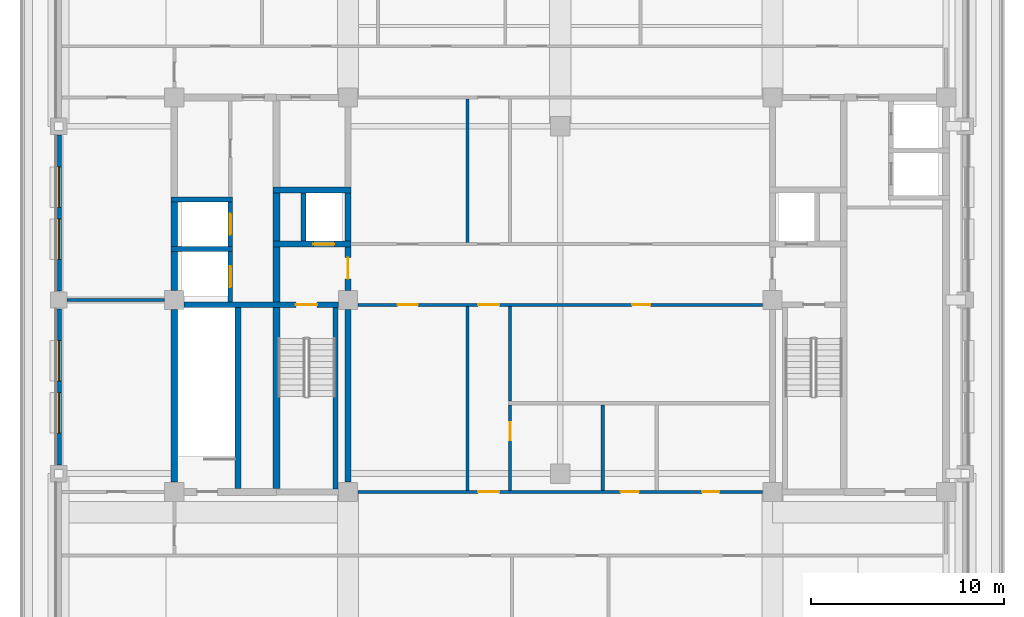
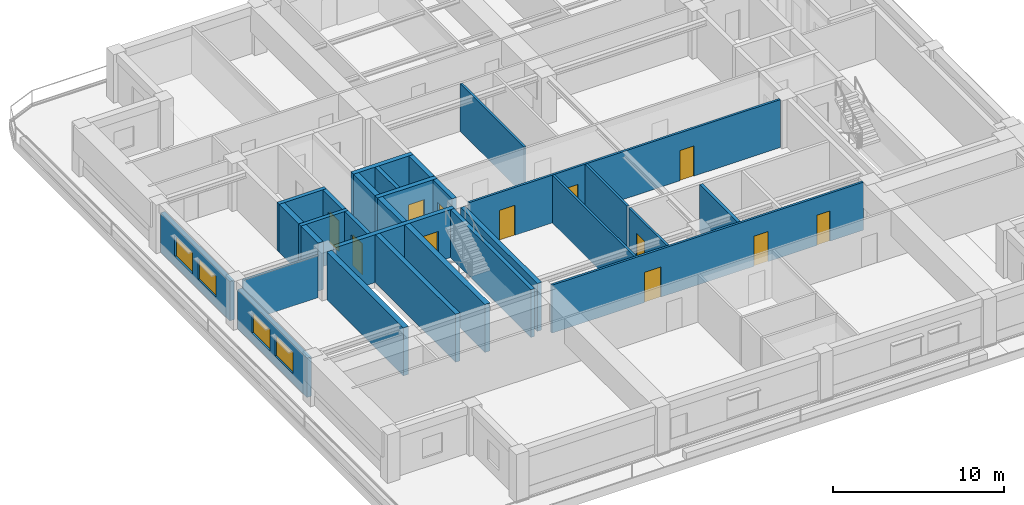
# One storey, part 3 of 11: 29 walls, 12 doors, 4 windows, 16 openings.
"""IFC4 building model written with IfcOpenShell, lengths in metres."""

from ifc_helpers import new_model, si_unit, direction, frame, frame_2d, origin, place, context, subcontext, project, spatial, rectangle, extrude, material, layer, layer_set, type_object, element, fill, save


model = new_model("IFC4")

# Units and contexts
model_context = context("Model", 3, precision=1e-05, world=origin(), true_north=direction((0.0, 1.0)))
body_context = subcontext(model_context, "Body", "Model", "MODEL_VIEW")
ifc_project = project(units=[si_unit("LENGTHUNIT", "METRE"), si_unit("AREAUNIT", "SQUARE_METRE"), si_unit("VOLUMEUNIT", "CUBIC_METRE"), si_unit("PLANEANGLEUNIT", "RADIAN"), si_unit("MASSUNIT", "GRAM", prefix="KILO")], contexts=[model_context])

# Site, building, storey
site_placement = place(None, origin())
site = spatial("IfcSite", under=ifc_project, at=site_placement, CompositionType="ELEMENT")
building_placement = place(site_placement, origin())
building = spatial("IfcBuilding", under=site, at=building_placement, Name="Zulmaris Gate Convention Tower", CompositionType="ELEMENT")
storey_placement = place(building_placement, frame((0.0, 0.0, 278.06005859375)))
storey = spatial("IfcBuildingStorey", under=building, at=storey_placement, Name="L74", CompositionType="ELEMENT", Elevation=278.06005859375)

# Walls
ifc_material_1 = material(Name="Concrete C50/60", Category="concrete")
ifc_layer_1 = layer(ifc_material_1, 0.25, Name="Concrete C50/60")
ifc_layer_set_1 = layer_set([ifc_layer_1], Name="Concrete C50/60")
wall_type_1 = type_object("IfcWallType", Name="CORE-250", PredefinedType="SOLIDWALL", material=ifc_layer_set_1)
for number, where, z_axis, x_axis, name in (
    (1, (-20.175048828125, 2.64990234375, 0.0), (0.0, 0.0, 1.0), (1.0, 0.0, 0.0), "WL-L74-007"),
    (2, (-20.175048828125, 5.199951171875, 0.0), (0.0, 0.0, 1.0), (1.0, 0.0, 0.0), "WL-L74-010"),
):
    element("IfcWall", number, at=place(storey_placement, frame(where, z_axis=z_axis, x_axis=x_axis)), inside=storey, type_object=wall_type_1, Name=name, PredefinedType="SOLIDWALL", context=body_context, shape_type="SweptSolid", body=[
        extrude(rectangle(XDim=3.199951171875, YDim=0.25, at=frame_2d((1.60009765625, 0.0))), origin(), (0.0, 0.0, 1.0), 3.4150390625),
    ])

# Wall, opening, door
wall_1_placement = place(storey_placement, frame((-17.10009765625, -0.097900390625, 0.0), z_axis=(0.0, 0.0, 1.0), x_axis=(0.0, 1.0, 0.0)))
wall_1 = element("IfcWall", 3, at=wall_1_placement, inside=storey, type_object=wall_type_1, Name="WL-L74-036", PredefinedType="SOLIDWALL", context=body_context, shape_type="SweptSolid", body=[
    extrude(rectangle(XDim=2.620849609375, YDim=0.25, at=frame_2d((1.310546875, 0.0))), origin(), (0.0, 0.0, 1.0), 3.4150390625),
])
opening_1_placement = place(wall_1_placement, frame((0.748046875, 0.0, 0.0)))
opening_1 = element("IfcOpeningElement", 4, at=opening_1_placement, cuts=wall_1, Name="Opening D-06", PredefinedType="OPENING", context=body_context, shape_type="SweptSolid", body=[
    extrude(rectangle(XDim=1.10009765625, YDim=2.199951171875, at=frame_2d((0.550048828125, 1.10009765625))), frame((0.0, 0.135009765625, 0.0), z_axis=(0.0, -1.0, 0.0), x_axis=(1.0, 0.0, 0.0)), (0.0, 0.0, 1.0), 0.27001953125),
])
ifc_material_2 = material(Name="Brushed Stainless Steel", Category="steel")
door_type_1 = type_object("IfcDoorType", Name="LD-1100", OperationType="NOTDEFINED", PredefinedType="DOOR", material=ifc_material_2)
door_1_placement = place(opening_1_placement, origin())
door_1 = element("IfcDoor", 5, at=door_1_placement, inside=storey, type_object=door_type_1, Name="L74 Lift Landing Door HP-03 10", OperationType="SLIDING_TO_LEFT", OverallHeight=2.199951171875, OverallWidth=1.10009765625, PredefinedType="DOOR", context=body_context, shape_type="SweptSolid", body=[
    extrude(rectangle(XDim=1.10009765625, YDim=2.199951171875, at=frame_2d((0.550048828125, 1.10009765625))), frame((0.0, 0.02490234375, 0.0), z_axis=(0.0, -1.0, 0.0), x_axis=(1.0, 0.0, 0.0)), (0.0, 0.0, 1.0), 0.050048828125),
])
fill(opening_1, door_1)

wall_2_placement = place(storey_placement, frame((-17.10009765625, 2.777099609375, 0.0), z_axis=(0.0, 0.0, 1.0), x_axis=(0.0, 1.0, 0.0)))
wall_2 = element("IfcWall", 6, at=wall_2_placement, inside=storey, type_object=wall_type_1, Name="WL-L74-037", PredefinedType="SOLIDWALL", context=body_context, shape_type="SweptSolid", body=[
    extrude(rectangle(XDim=2.2958984375, YDim=0.25, at=frame_2d((1.14794921875, 0.0))), origin(), (0.0, 0.0, 1.0), 3.4150390625),
])
opening_2_placement = place(wall_2_placement, frame((0.597900390625, 0.0, 0.0)))
opening_2 = element("IfcOpeningElement", 7, at=opening_2_placement, cuts=wall_2, Name="Opening D-06", PredefinedType="OPENING", context=body_context, shape_type="SweptSolid", body=[
    extrude(rectangle(XDim=1.10009765625, YDim=2.199951171875, at=frame_2d((0.550048828125, 1.10009765625))), frame((0.0, 0.135009765625, 0.0), z_axis=(0.0, -1.0, 0.0), x_axis=(1.0, 0.0, 0.0)), (0.0, 0.0, 1.0), 0.27001953125),
])
door_2_placement = place(opening_2_placement, origin())
door_2 = element("IfcDoor", 8, at=door_2_placement, inside=storey, type_object=door_type_1, Name="L74 Lift Landing Door HP-04 11", OperationType="SLIDING_TO_LEFT", OverallHeight=2.199951171875, OverallWidth=1.10009765625, PredefinedType="DOOR", context=body_context, shape_type="SweptSolid", body=[
    extrude(rectangle(XDim=1.10009765625, YDim=2.199951171875, at=frame_2d((0.550048828125, 1.10009765625))), frame((0.0, 0.02490234375, 0.0), z_axis=(0.0, -1.0, 0.0), x_axis=(1.0, 0.0, 0.0)), (0.0, 0.0, 1.0), 0.050048828125),
])
fill(opening_2, door_2)

# Walls
wall_3_placement = place(storey_placement, frame((-13.300048828125, 3.052001953125, 0.0), z_axis=(0.0, 0.0, 1.0), x_axis=(0.0, 1.0, 0.0)))
element("IfcWall", 9, at=wall_3_placement, inside=storey, type_object=wall_type_1, Name="WL-L74-043", PredefinedType="SOLIDWALL", context=body_context, shape_type="SweptSolid", body=[
    extrude(rectangle(XDim=2.49609375, YDim=0.25, at=frame_2d((1.248046875, 0.0))), origin(), (0.0, 0.0, 1.0), 3.4150390625),
])
wall_4_placement = place(storey_placement, frame((-11.64990234375, -9.798095703125, 0.0), z_axis=(0.0, 0.0, 1.0), x_axis=(0.0, 1.0, 0.0)))
element("IfcWall", 10, at=wall_4_placement, inside=storey, type_object=wall_type_1, Name="WL-L74-044", PredefinedType="SOLIDWALL", context=body_context, shape_type="SweptSolid", body=[
    extrude(rectangle(XDim=9.39599609375, YDim=0.25, at=frame_2d((4.697998046875, 0.0))), origin(), (0.0, 0.0, 1.0), 3.4150390625),
])

# Wall, opening, door
ifc_layer_2 = layer(ifc_material_1, 0.300048828125, Name="Concrete C50/60")
ifc_layer_set_2 = layer_set([ifc_layer_2], Name="Concrete C50/60")
wall_type_2 = type_object("IfcWallType", Name="CORE-300", PredefinedType="SHEAR", material=ifc_layer_set_2)
wall_5_placement = place(storey_placement, frame((-19.49609375, -0.25, 0.0), z_axis=(0.0, 0.0, 1.0), x_axis=(1.0, 0.0, 0.0)))
wall_5 = element("IfcWall", 11, at=wall_5_placement, inside=storey, type_object=wall_type_2, Name="WL-L74-005", PredefinedType="SHEAR", context=body_context, shape_type="SweptSolid", body=[
    extrude(rectangle(XDim=7.9921875, YDim=0.300048828125, at=frame_2d((3.99609375, 0.0))), origin(), (0.0, 0.0, 1.0), 3.4150390625),
])
opening_3_placement = place(wall_5_placement, frame((5.7958984375, 0.0, 0.0)))
opening_3 = element("IfcOpeningElement", 12, at=opening_3_placement, cuts=wall_5, Name="Opening D-08", PredefinedType="OPENING", context=body_context, shape_type="SweptSolid", body=[
    extrude(rectangle(XDim=1.10009765625, YDim=2.14990234375, at=frame_2d((0.550048828125, 1.074951171875))), frame((0.0, 0.16015625, 0.0), z_axis=(0.0, -1.0, 0.0), x_axis=(1.0, 0.0, 0.0)), (0.0, 0.0, 1.0), 0.320068359375),
])
ifc_material_3 = material(Name="Fire-Rated Steel", Category="steel")
door_type_2 = type_object("IfcDoorType", Name="DR-1100-FD", OperationType="NOTDEFINED", PredefinedType="DOOR", material=ifc_material_3)
door_3_placement = place(opening_3_placement, origin())
door_3 = element("IfcDoor", 13, at=door_3_placement, inside=storey, type_object=door_type_2, Name="L74 Exit Stair ST-1 Door 01", OperationType="SINGLE_SWING_LEFT", OverallHeight=2.14990234375, OverallWidth=1.10009765625, PredefinedType="DOOR", context=body_context, shape_type="SweptSolid", body=[
    extrude(rectangle(XDim=1.10009765625, YDim=2.14990234375, at=frame_2d((0.550048828125, 1.074951171875))), frame((0.0, 0.02490234375, 0.0), z_axis=(0.0, -1.0, 0.0), x_axis=(1.0, 0.0, 0.0)), (0.0, 0.0, 1.0), 0.050048828125),
])
fill(opening_3, door_3)

wall_6_placement = place(storey_placement, frame((-14.875, 2.89990234375, 0.0), z_axis=(0.0, 0.0, 1.0), x_axis=(1.0, 0.0, 0.0)))
wall_6 = element("IfcWall", 14, at=wall_6_placement, inside=storey, type_object=wall_type_2, Name="WL-L74-008", PredefinedType="SHEAR", context=body_context, shape_type="SweptSolid", body=[
    extrude(rectangle(XDim=4.02490234375, YDim=0.300048828125, at=frame_2d((2.012451171875, 0.0))), origin(), (0.0, 0.0, 1.0), 3.4150390625),
])
opening_4_placement = place(wall_6_placement, frame((2.074951171875, 0.0, 0.0)))
opening_4 = element("IfcOpeningElement", 15, at=opening_4_placement, cuts=wall_6, Name="Opening D-06", PredefinedType="OPENING", context=body_context, shape_type="SweptSolid", body=[
    extrude(rectangle(XDim=1.10009765625, YDim=2.199951171875, at=frame_2d((0.550048828125, 1.10009765625))), frame((0.0, 0.16015625, 0.0), z_axis=(0.0, -1.0, 0.0), x_axis=(1.0, 0.0, 0.0)), (0.0, 0.0, 1.0), 0.320068359375),
])
door_4_placement = place(opening_4_placement, origin())
door_4 = element("IfcDoor", 16, at=door_4_placement, inside=storey, type_object=door_type_1, Name="L74 Lift Landing Door LF-01 03", OperationType="SLIDING_TO_LEFT", OverallHeight=2.199951171875, OverallWidth=1.10009765625, PredefinedType="DOOR", context=body_context, shape_type="SweptSolid", body=[
    extrude(rectangle(XDim=1.10009765625, YDim=2.199951171875, at=frame_2d((0.550048828125, 1.10009765625))), frame((0.0, 0.02490234375, 0.0), z_axis=(0.0, -1.0, 0.0), x_axis=(1.0, 0.0, 0.0)), (0.0, 0.0, 1.0), 0.050048828125),
])
fill(opening_4, door_4)

# Walls
wall_7_placement = place(storey_placement, frame((-14.875, 5.699951171875, 0.0), z_axis=(0.0, 0.0, 1.0), x_axis=(1.0, 0.0, 0.0)))
element("IfcWall", 17, at=wall_7_placement, inside=storey, type_object=wall_type_2, Name="WL-L74-012", PredefinedType="SHEAR", context=body_context, shape_type="SweptSolid", body=[
    extrude(rectangle(XDim=4.02490234375, YDim=0.300048828125, at=frame_2d((2.012451171875, 0.0))), origin(), (0.0, 0.0, 1.0), 3.4150390625),
])
wall_8_placement = place(storey_placement, frame((-16.699951171875, -9.77294921875, 0.0), z_axis=(0.0, 0.0, 1.0), x_axis=(0.0, 1.0, 0.0)))
element("IfcWall", 18, at=wall_8_placement, inside=storey, type_object=wall_type_2, Name="WL-L74-038", PredefinedType="SHEAR", context=body_context, shape_type="SweptSolid", body=[
    extrude(rectangle(XDim=9.370849609375, YDim=0.300048828125, at=frame_2d((4.685546875, 0.0))), origin(), (0.0, 0.0, 1.0), 3.4150390625),
])
wall_9_placement = place(storey_placement, frame((-11.0, -9.446044921875, 0.0), z_axis=(0.0, 0.0, 1.0), x_axis=(0.0, 1.0, 0.0)))
element("IfcWall", 19, at=wall_9_placement, inside=storey, type_object=wall_type_2, Name="WL-L74-045", PredefinedType="SHEAR", context=body_context, shape_type="SweptSolid", body=[
    extrude(rectangle(XDim=8.942138671875, YDim=0.300048828125, at=frame_2d((4.47119140625, 0.0))), origin(), (0.0, 0.0, 1.0), 3.4150390625),
])

# Wall, opening, door
wall_10_placement = place(storey_placement, frame((-11.0, 0.50390625, 0.0), z_axis=(0.0, 0.0, 1.0), x_axis=(0.0, 1.0, 0.0)))
wall_10 = element("IfcWall", 20, at=wall_10_placement, inside=storey, type_object=wall_type_2, Name="WL-L74-046", PredefinedType="SHEAR", context=body_context, shape_type="SweptSolid", body=[
    extrude(rectangle(XDim=2.244140625, YDim=0.300048828125, at=frame_2d((1.1220703125, 0.0))), origin(), (0.0, 0.0, 1.0), 3.4150390625),
])
opening_5_placement = place(wall_10_placement, frame((0.595947265625, 0.0, 0.0)))
opening_5 = element("IfcOpeningElement", 21, at=opening_5_placement, cuts=wall_10, Name="Opening D-08", PredefinedType="OPENING", context=body_context, shape_type="SweptSolid", body=[
    extrude(rectangle(XDim=1.10009765625, YDim=2.14990234375, at=frame_2d((0.550048828125, 1.074951171875))), frame((0.0, 0.16015625, 0.0), z_axis=(0.0, -1.0, 0.0), x_axis=(1.0, 0.0, 0.0)), (0.0, 0.0, 1.0), 0.320068359375),
])
door_5_placement = place(opening_5_placement, origin())
door_5 = element("IfcDoor", 22, at=door_5_placement, inside=storey, type_object=door_type_2, Name="L74 West Firefighting Lobby Door 02", OperationType="SINGLE_SWING_RIGHT", OverallHeight=2.14990234375, OverallWidth=1.10009765625, PredefinedType="DOOR", context=body_context, shape_type="SweptSolid", body=[
    extrude(rectangle(XDim=1.10009765625, YDim=2.14990234375, at=frame_2d((0.550048828125, 1.074951171875))), frame((0.0, 0.02490234375, 0.0), z_axis=(0.0, -1.0, 0.0), x_axis=(1.0, 0.0, 0.0)), (0.0, 0.0, 1.0), 0.050048828125),
])
fill(opening_5, door_5)

# Walls
wall_11_placement = place(storey_placement, frame((-11.0, 3.052001953125, 0.0), z_axis=(0.0, 0.0, 1.0), x_axis=(0.0, 1.0, 0.0)))
element("IfcWall", 23, at=wall_11_placement, inside=storey, type_object=wall_type_2, Name="WL-L74-047", PredefinedType="SHEAR", context=body_context, shape_type="SweptSolid", body=[
    extrude(rectangle(XDim=2.49609375, YDim=0.300048828125, at=frame_2d((1.248046875, 0.0))), origin(), (0.0, 0.0, 1.0), 3.4150390625),
])
ifc_material_4 = material(Name="Concrete C55/67", Category="concrete")
ifc_layer_3 = layer(ifc_material_4, 0.35009765625, Name="Concrete C55/67")
ifc_layer_set_3 = layer_set([ifc_layer_3], Name="Concrete C55/67")
wall_type_3 = type_object("IfcWallType", Name="CORE-350", PredefinedType="SHEAR", material=ifc_layer_set_3)
wall_12_placement = place(storey_placement, frame((-20.0, -9.446044921875, 0.0), z_axis=(0.0, 0.0, 1.0), x_axis=(0.0, 1.0, 0.0)))
element("IfcWall", 24, at=wall_12_placement, inside=storey, type_object=wall_type_3, Name="WL-L74-032", PredefinedType="SHEAR", context=body_context, shape_type="SweptSolid", body=[
    extrude(rectangle(XDim=8.942138671875, YDim=0.35009765625, at=frame_2d((4.47119140625, 0.0))), origin(), (0.0, 0.0, 1.0), 3.4150390625),
])
wall_13_placement = place(storey_placement, frame((-20.0, 0.50390625, 0.0), z_axis=(0.0, 0.0, 1.0), x_axis=(0.0, 1.0, 0.0)))
element("IfcWall", 25, at=wall_13_placement, inside=storey, type_object=wall_type_3, Name="WL-L74-033", PredefinedType="SHEAR", context=body_context, shape_type="SweptSolid", body=[
    extrude(rectangle(XDim=2.01904296875, YDim=0.35009765625, at=frame_2d((1.009521484375, 0.0))), origin(), (0.0, 0.0, 1.0), 3.4150390625),
])
wall_14_placement = place(storey_placement, frame((-20.0, 2.777099609375, 0.0), z_axis=(0.0, 0.0, 1.0), x_axis=(0.0, 1.0, 0.0)))
element("IfcWall", 26, at=wall_14_placement, inside=storey, type_object=wall_type_3, Name="WL-L74-034", PredefinedType="SHEAR", context=body_context, shape_type="SweptSolid", body=[
    extrude(rectangle(XDim=2.2958984375, YDim=0.35009765625, at=frame_2d((1.14794921875, 0.0))), origin(), (0.0, 0.0, 1.0), 3.4150390625),
])
wall_15_placement = place(storey_placement, frame((-14.699951171875, -9.77294921875, 0.0), z_axis=(0.0, 0.0, 1.0), x_axis=(0.0, 1.0, 0.0)))
element("IfcWall", 27, at=wall_15_placement, inside=storey, type_object=wall_type_3, Name="WL-L74-039", PredefinedType="SHEAR", context=body_context, shape_type="SweptSolid", body=[
    extrude(rectangle(XDim=9.370849609375, YDim=0.35009765625, at=frame_2d((4.685546875, 0.0))), origin(), (0.0, 0.0, 1.0), 3.4150390625),
])
wall_16_placement = place(storey_placement, frame((-14.699951171875, -0.097900390625, 0.0), z_axis=(0.0, 0.0, 1.0), x_axis=(0.0, 1.0, 0.0)))
element("IfcWall", 28, at=wall_16_placement, inside=storey, type_object=wall_type_3, Name="WL-L74-040", PredefinedType="SHEAR", context=body_context, shape_type="SweptSolid", body=[
    extrude(rectangle(XDim=2.845947265625, YDim=0.35009765625, at=frame_2d((1.4228515625, 0.0))), origin(), (0.0, 0.0, 1.0), 3.4150390625),
])
wall_17_placement = place(storey_placement, frame((-14.699951171875, 3.052001953125, 0.0), z_axis=(0.0, 0.0, 1.0), x_axis=(0.0, 1.0, 0.0)))
element("IfcWall", 29, at=wall_17_placement, inside=storey, type_object=wall_type_3, Name="WL-L74-041", PredefinedType="SHEAR", context=body_context, shape_type="SweptSolid", body=[
    extrude(rectangle(XDim=2.49609375, YDim=0.35009765625, at=frame_2d((1.248046875, 0.0))), origin(), (0.0, 0.0, 1.0), 3.4150390625),
])

# Wall, openings, doors
ifc_material_5 = material(Name="Gypsum Metal Stud Partition")
ifc_layer_4 = layer(ifc_material_5, 0.14990234375, Name="Gypsum Metal Stud Partition")
ifc_layer_set_4 = layer_set([ifc_layer_4], Name="Gypsum Metal Stud Partition")
wall_type_4 = type_object("IfcWallType", Name="PART-150", PredefinedType="PARTITIONING", material=ifc_layer_set_4)
wall_18_placement = place(storey_placement, frame((-10.493896484375, -9.949951171875, 0.0), z_axis=(0.0, 0.0, 1.0), x_axis=(1.0, 0.0, 0.0)))
wall_18 = element("IfcWall", 30, at=wall_18_placement, inside=storey, type_object=wall_type_4, Name="WL-L74-023", PredefinedType="PARTITIONING", context=body_context, shape_type="SweptSolid", body=[
    extrude(rectangle(XDim=20.98779296875, YDim=0.14990234375, at=frame_2d((10.493896484375, 0.0))), origin(), (0.0, 0.0, 1.0), 3.4150390625),
])
opening_6_placement = place(wall_18_placement, frame((6.243896484375, 0.0, 0.0)))
opening_6 = element("IfcOpeningElement", 31, at=opening_6_placement, cuts=wall_18, Name="Opening D-08", PredefinedType="OPENING", context=body_context, shape_type="SweptSolid", body=[
    extrude(rectangle(XDim=1.10009765625, YDim=2.14990234375, at=frame_2d((0.550048828125, 1.074951171875))), frame((0.0, 0.0849609375, 0.0), z_axis=(0.0, -1.0, 0.0), x_axis=(1.0, 0.0, 0.0)), (0.0, 0.0, 1.0), 0.169921875),
])
opening_7_placement = place(wall_18_placement, frame((13.618896484375, 0.0, 0.0)))
opening_7 = element("IfcOpeningElement", 32, at=opening_7_placement, cuts=wall_18, Name="Opening D-11", PredefinedType="OPENING", context=body_context, shape_type="SweptSolid", body=[
    extrude(rectangle(XDim=0.949951171875, YDim=2.14990234375, at=frame_2d((0.47509765625, 1.074951171875))), frame((0.0, 0.0849609375, 0.0), z_axis=(0.0, -1.0, 0.0), x_axis=(1.0, 0.0, 0.0)), (0.0, 0.0, 1.0), 0.169921875),
])
opening_8_placement = place(wall_18_placement, frame((17.843994140625, 0.0, 0.0)))
opening_8 = element("IfcOpeningElement", 33, at=opening_8_placement, cuts=wall_18, Name="Opening D-12", PredefinedType="OPENING", context=body_context, shape_type="SweptSolid", body=[
    extrude(rectangle(XDim=0.89990234375, YDim=2.14990234375, at=frame_2d((0.449951171875, 1.074951171875))), frame((0.0, 0.0849609375, 0.0), z_axis=(0.0, -1.0, 0.0), x_axis=(1.0, 0.0, 0.0)), (0.0, 0.0, 1.0), 0.169921875),
])
door_6_placement = place(opening_6_placement, origin())
door_6 = element("IfcDoor", 34, at=door_6_placement, inside=storey, type_object=door_type_2, Name="L74 Exec South Link Door 19", OperationType="SINGLE_SWING_LEFT", OverallHeight=2.14990234375, OverallWidth=1.10009765625, PredefinedType="DOOR", context=body_context, shape_type="SweptSolid", body=[
    extrude(rectangle(XDim=1.10009765625, YDim=2.14990234375, at=frame_2d((0.550048828125, 1.074951171875))), frame((0.0, 0.02490234375, 0.0), z_axis=(0.0, -1.0, 0.0), x_axis=(1.0, 0.0, 0.0)), (0.0, 0.0, 1.0), 0.050048828125),
])
fill(opening_6, door_6)
ifc_material_6 = material(Name="Fire-Rated Timber", Category="wood")
door_type_3 = type_object("IfcDoorType", Name="DR-900-FD", OperationType="NOTDEFINED", PredefinedType="DOOR", material=ifc_material_6)
door_7_placement = place(opening_8_placement, origin())
door_7 = element("IfcDoor", 35, at=door_7_placement, inside=storey, type_object=door_type_3, Name="L74 Reprographics Office Door 38", OperationType="SINGLE_SWING_RIGHT", OverallHeight=2.14990234375, OverallWidth=0.89990234375, PredefinedType="DOOR", context=body_context, shape_type="SweptSolid", body=[
    extrude(rectangle(XDim=0.89990234375, YDim=2.14990234375, at=frame_2d((0.449951171875, 1.074951171875))), frame((0.0, 0.02490234375, 0.0), z_axis=(0.0, -1.0, 0.0), x_axis=(1.0, 0.0, 0.0)), (0.0, 0.0, 1.0), 0.050048828125),
])
fill(opening_8, door_7)
door_type_4 = type_object("IfcDoorType", Name="DR-950-FD", OperationType="NOTDEFINED", PredefinedType="DOOR", material=ifc_material_6)
door_8_placement = place(opening_7_placement, origin())
door_8 = element("IfcDoor", 36, at=door_8_placement, inside=storey, type_object=door_type_4, Name="L74 Accessible WC Door 37", OperationType="SINGLE_SWING_LEFT", OverallHeight=2.14990234375, OverallWidth=0.949951171875, PredefinedType="DOOR", context=body_context, shape_type="SweptSolid", body=[
    extrude(rectangle(XDim=0.949951171875, YDim=2.14990234375, at=frame_2d((0.47509765625, 1.074951171875))), frame((0.0, 0.02490234375, 0.0), z_axis=(0.0, -1.0, 0.0), x_axis=(1.0, 0.0, 0.0)), (0.0, 0.0, 1.0), 0.050048828125),
])
fill(opening_7, door_8)

wall_19_placement = place(storey_placement, frame((-10.493896484375, -0.25, 0.0), z_axis=(0.0, 0.0, 1.0), x_axis=(1.0, 0.0, 0.0)))
wall_19 = element("IfcWall", 37, at=wall_19_placement, inside=storey, type_object=wall_type_4, Name="WL-L74-025", PredefinedType="PARTITIONING", context=body_context, shape_type="SweptSolid", body=[
    extrude(rectangle(XDim=20.98779296875, YDim=0.14990234375, at=frame_2d((10.493896484375, 0.0))), origin(), (0.0, 0.0, 1.0), 3.4150390625),
])
opening_9_placement = place(wall_19_placement, frame((6.243896484375, 0.0, 0.0)))
opening_9 = element("IfcOpeningElement", 38, at=opening_9_placement, cuts=wall_19, Name="Opening D-08", PredefinedType="OPENING", context=body_context, shape_type="SweptSolid", body=[
    extrude(rectangle(XDim=1.10009765625, YDim=2.14990234375, at=frame_2d((0.550048828125, 1.074951171875))), frame((0.0, 0.0849609375, 0.0), z_axis=(0.0, -1.0, 0.0), x_axis=(1.0, 0.0, 0.0)), (0.0, 0.0, 1.0), 0.169921875),
])
opening_10_placement = place(wall_19_placement, frame((2.069091796875, 0.0, 0.0)))
opening_10 = element("IfcOpeningElement", 39, at=opening_10_placement, cuts=wall_19, Name="Opening D-09", PredefinedType="OPENING", context=body_context, shape_type="SweptSolid", body=[
    extrude(rectangle(XDim=1.050048828125, YDim=2.14990234375, at=frame_2d((0.52490234375, 1.074951171875))), frame((0.0, 0.0849609375, 0.0), z_axis=(0.0, -1.0, 0.0), x_axis=(1.0, 0.0, 0.0)), (0.0, 0.0, 1.0), 0.169921875),
])
opening_11_placement = place(wall_19_placement, frame((14.218994140625, 0.0, 0.0)))
opening_11 = element("IfcOpeningElement", 40, at=opening_11_placement, cuts=wall_19, Name="Opening D-11", PredefinedType="OPENING", context=body_context, shape_type="SweptSolid", body=[
    extrude(rectangle(XDim=0.949951171875, YDim=2.14990234375, at=frame_2d((0.47509765625, 1.074951171875))), frame((0.0, 0.0849609375, 0.0), z_axis=(0.0, -1.0, 0.0), x_axis=(1.0, 0.0, 0.0)), (0.0, 0.0, 1.0), 0.169921875),
])
door_type_5 = type_object("IfcDoorType", Name="DR-1050-FD", OperationType="NOTDEFINED", PredefinedType="DOOR", material=ifc_material_3)
door_9_placement = place(opening_10_placement, origin())
door_9 = element("IfcDoor", 41, at=door_9_placement, inside=storey, type_object=door_type_5, Name="L74 Sky Library Door 34", OperationType="SINGLE_SWING_RIGHT", OverallHeight=2.14990234375, OverallWidth=1.050048828125, PredefinedType="DOOR", context=body_context, shape_type="SweptSolid", body=[
    extrude(rectangle(XDim=1.050048828125, YDim=2.14990234375, at=frame_2d((0.52490234375, 1.074951171875))), frame((0.0, 0.02490234375, 0.0), z_axis=(0.0, -1.0, 0.0), x_axis=(1.0, 0.0, 0.0)), (0.0, 0.0, 1.0), 0.050048828125),
])
fill(opening_10, door_9)
door_10_placement = place(opening_9_placement, origin())
door_10 = element("IfcDoor", 42, at=door_10_placement, inside=storey, type_object=door_type_2, Name="L74 Exec Cross South Door 21", OperationType="SINGLE_SWING_LEFT", OverallHeight=2.14990234375, OverallWidth=1.10009765625, PredefinedType="DOOR", context=body_context, shape_type="SweptSolid", body=[
    extrude(rectangle(XDim=1.10009765625, YDim=2.14990234375, at=frame_2d((0.550048828125, 1.074951171875))), frame((0.0, 0.02490234375, 0.0), z_axis=(0.0, -1.0, 0.0), x_axis=(1.0, 0.0, 0.0)), (0.0, 0.0, 1.0), 0.050048828125),
])
fill(opening_9, door_10)
door_11_placement = place(opening_11_placement, origin())
door_11 = element("IfcDoor", 43, at=door_11_placement, inside=storey, type_object=door_type_4, Name="L74 Public WC Door 35", OperationType="SINGLE_SWING_LEFT", OverallHeight=2.14990234375, OverallWidth=0.949951171875, PredefinedType="DOOR", context=body_context, shape_type="SweptSolid", body=[
    extrude(rectangle(XDim=0.949951171875, YDim=2.14990234375, at=frame_2d((0.47509765625, 1.074951171875))), frame((0.0, 0.02490234375, 0.0), z_axis=(0.0, -1.0, 0.0), x_axis=(1.0, 0.0, 0.0)), (0.0, 0.0, 1.0), 0.050048828125),
])
fill(opening_11, door_11)

# Walls
wall_20_placement = place(storey_placement, frame((-25.569091796875, 0.0, 0.0), z_axis=(0.0, 0.0, 1.0), x_axis=(1.0, 0.0, 0.0)))
element("IfcWall", 44, at=wall_20_placement, inside=storey, type_object=wall_type_4, Name="WL-L74-026", PredefinedType="PARTITIONING", context=body_context, shape_type="SweptSolid", body=[
    extrude(rectangle(XDim=5.06298828125, YDim=0.14990234375, at=frame_2d((2.531494140625, 0.0))), origin(), (0.0, 0.0, 1.0), 3.0048828125),
])
wall_21_placement = place(storey_placement, frame((-4.800048828125, -9.8720703125, 0.0), z_axis=(0.0, 0.0, 1.0), x_axis=(0.0, 1.0, 0.0)))
element("IfcWall", 45, at=wall_21_placement, inside=storey, type_object=wall_type_4, Name="WL-L74-069", PredefinedType="PARTITIONING", context=body_context, shape_type="SweptSolid", body=[
    extrude(rectangle(XDim=9.544189453125, YDim=0.14990234375, at=frame_2d((4.77197265625, 0.0))), origin(), (0.0, 0.0, 1.0), 3.4150390625),
])
wall_22_placement = place(storey_placement, frame((-4.800048828125, 2.97802734375, 0.0), z_axis=(0.0, 0.0, 1.0), x_axis=(0.0, 1.0, 0.0)))
element("IfcWall", 46, at=wall_22_placement, inside=storey, type_object=wall_type_4, Name="WL-L74-070", PredefinedType="PARTITIONING", context=body_context, shape_type="SweptSolid", body=[
    extrude(rectangle(XDim=7.444091796875, YDim=0.14990234375, at=frame_2d((3.72216796875, 0.0))), origin(), (0.0, 0.0, 1.0), 3.4150390625),
])

# Wall, opening, door
wall_23_placement = place(storey_placement, frame((-2.60009765625, -9.8720703125, 0.0), z_axis=(0.0, 0.0, 1.0), x_axis=(0.0, 1.0, 0.0)))
wall_23 = element("IfcWall", 47, at=wall_23_placement, inside=storey, type_object=wall_type_4, Name="WL-L74-072", PredefinedType="PARTITIONING", context=body_context, shape_type="SweptSolid", body=[
    extrude(rectangle(XDim=4.419189453125, YDim=0.14990234375, at=frame_2d((2.20947265625, 0.0))), origin(), (0.0, 0.0, 1.0), 3.4150390625),
])
opening_12_placement = place(wall_23_placement, frame((2.596923828125, 0.0, 0.0)))
opening_12 = element("IfcOpeningElement", 48, at=opening_12_placement, cuts=wall_23, Name="Opening D-11", PredefinedType="OPENING", context=body_context, shape_type="SweptSolid", body=[
    extrude(rectangle(XDim=0.949951171875, YDim=2.14990234375, at=frame_2d((0.47509765625, 1.074951171875))), frame((0.0, 0.0849609375, 0.0), z_axis=(0.0, -1.0, 0.0), x_axis=(1.0, 0.0, 0.0)), (0.0, 0.0, 1.0), 0.169921875),
])
door_12_placement = place(opening_12_placement, origin())
door_12 = element("IfcDoor", 49, at=door_12_placement, inside=storey, type_object=door_type_4, Name="L74 Hygiene Supply Door 36", OperationType="SINGLE_SWING_RIGHT", OverallHeight=2.14990234375, OverallWidth=0.949951171875, PredefinedType="DOOR", context=body_context, shape_type="SweptSolid", body=[
    extrude(rectangle(XDim=0.949951171875, YDim=2.14990234375, at=frame_2d((0.47509765625, 1.074951171875))), frame((0.0, 0.02490234375, 0.0), z_axis=(0.0, -1.0, 0.0), x_axis=(1.0, 0.0, 0.0)), (0.0, 0.0, 1.0), 0.050048828125),
])
fill(opening_12, door_12)

# Walls
wall_24_placement = place(storey_placement, frame((-2.60009765625, -5.2470703125, 0.0), z_axis=(0.0, 0.0, 1.0), x_axis=(0.0, 1.0, 0.0)))
element("IfcWall", 50, at=wall_24_placement, inside=storey, type_object=wall_type_4, Name="WL-L74-073", PredefinedType="PARTITIONING", context=body_context, shape_type="SweptSolid", body=[
    extrude(rectangle(XDim=4.919189453125, YDim=0.14990234375, at=frame_2d((2.45947265625, 0.0))), origin(), (0.0, 0.0, 1.0), 3.4150390625),
])
ifc_material_7 = material(Name="Autoclaved Aerated Concrete Block and Plasterboard", Category="concrete")
ifc_layer_5 = layer(ifc_material_7, 0.199951171875, Name="Autoclaved Aerated Concrete Block and Plasterboard")
ifc_layer_set_5 = layer_set([ifc_layer_5], Name="Autoclaved Aerated Concrete Block and Plasterboard")
wall_type_5 = type_object("IfcWallType", Name="PART-200", PredefinedType="PARTITIONING", material=ifc_layer_set_5)
wall_25_placement = place(storey_placement, frame((2.199951171875, -9.8720703125, 0.0), z_axis=(0.0, 0.0, 1.0), x_axis=(0.0, 1.0, 0.0)))
element("IfcWall", 51, at=wall_25_placement, inside=storey, type_object=wall_type_5, Name="WL-L74-078", PredefinedType="PARTITIONING", context=body_context, shape_type="SweptSolid", body=[
    extrude(rectangle(XDim=4.419189453125, YDim=0.199951171875, at=frame_2d((2.20947265625, 0.0))), origin(), (0.0, 0.0, 1.0), 3.4150390625),
])

# Wall, openings, windows
ifc_material_8 = material(Name="Precast concrete C40/50", Category="concrete")
ifc_layer_6 = layer(ifc_material_8, 0.300048828125, Name="Precast concrete C40/50")
ifc_layer_set_6 = layer_set([ifc_layer_6], Name="Precast concrete C40/50")
wall_type_6 = type_object("IfcWallType", Name="PRECAST-PIER-300", PredefinedType="STANDARD", material=ifc_layer_set_6)
wall_26_placement = place(storey_placement, frame((-26.0, -0.455078125, 0.0), z_axis=(0.0, 0.0, 1.0), x_axis=(0.0, -1.0, 0.0)))
wall_26 = element("IfcWall", 52, at=wall_26_placement, inside=storey, type_object=wall_type_6, Name="EW-L74-W-1_0", PredefinedType="STANDARD", context=body_context, shape_type="SweptSolid", body=[
    extrude(rectangle(XDim=8.08984375, YDim=0.300048828125, at=frame_2d((4.044921875, 0.0))), origin(), (0.0, 0.0, 1.0), 2.806884765625),
])
opening_13_placement = place(wall_26_placement, frame((1.64697265625, 0.0, 0.699951171875)))
opening_13 = element("IfcOpeningElement", 53, at=opening_13_placement, cuts=wall_26, Name="Opening W-05", PredefinedType="OPENING", context=body_context, shape_type="SweptSolid", body=[
    extrude(rectangle(XDim=2.10009765625, YDim=1.5, at=frame_2d((1.050048828125, 0.75))), frame((0.0, 0.16015625, 0.0), z_axis=(0.0, -1.0, 0.0), x_axis=(1.0, 0.0, 0.0)), (0.0, 0.0, 1.0), 0.320068359375),
])
opening_14_placement = place(wall_26_placement, frame((4.343017578125, 0.0, 0.699951171875)))
opening_14 = element("IfcOpeningElement", 54, at=opening_14_placement, cuts=wall_26, Name="Opening W-05", PredefinedType="OPENING", context=body_context, shape_type="SweptSolid", body=[
    extrude(rectangle(XDim=2.10009765625, YDim=1.5, at=frame_2d((1.050048828125, 0.75))), frame((0.0, 0.16015625, 0.0), z_axis=(0.0, -1.0, 0.0), x_axis=(1.0, 0.0, 0.0)), (0.0, 0.0, 1.0), 0.320068359375),
])
ifc_material_9 = material(Name="Low-E Laminated Double Glazing in Aluminium Frame", Category="aluminium")
window_type = type_object("IfcWindowType", Name="WIN-2100x2400", PartitioningType="SINGLE_PANEL", PredefinedType="WINDOW", material=ifc_material_9)
window_1_placement = place(opening_13_placement, origin())
window_1 = element("IfcWindow", 55, at=window_1_placement, inside=storey, type_object=window_type, Name="WN-EW-L74-W-1_0-1", OverallHeight=1.5, OverallWidth=2.10009765625, PartitioningType="SINGLE_PANEL", PredefinedType="WINDOW", context=body_context, shape_type="SweptSolid", body=[
    extrude(rectangle(XDim=2.10009765625, YDim=1.5, at=frame_2d((1.050048828125, 0.75))), frame((0.0, 0.030029296875, 0.0), z_axis=(0.0, -1.0, 0.0), x_axis=(1.0, 0.0, 0.0)), (0.0, 0.0, 1.0), 0.06005859375),
])
fill(opening_13, window_1)
window_2_placement = place(opening_14_placement, origin())
window_2 = element("IfcWindow", 56, at=window_2_placement, inside=storey, type_object=window_type, Name="WN-EW-L74-W-1_0-2", OverallHeight=1.5, OverallWidth=2.10009765625, PartitioningType="SINGLE_PANEL", PredefinedType="WINDOW", context=body_context, shape_type="SweptSolid", body=[
    extrude(rectangle(XDim=2.10009765625, YDim=1.5, at=frame_2d((1.050048828125, 0.75))), frame((0.0, 0.030029296875, 0.0), z_axis=(0.0, -1.0, 0.0), x_axis=(1.0, 0.0, 0.0)), (0.0, 0.0, 1.0), 0.06005859375),
])
fill(opening_14, window_2)

wall_27_placement = place(storey_placement, frame((-26.0, 8.544921875, 0.0), z_axis=(0.0, 0.0, 1.0), x_axis=(0.0, -1.0, 0.0)))
wall_27 = element("IfcWall", 57, at=wall_27_placement, inside=storey, type_object=wall_type_6, Name="EW-L74-W-2_0", PredefinedType="STANDARD", context=body_context, shape_type="SweptSolid", body=[
    extrude(rectangle(XDim=8.08984375, YDim=0.300048828125, at=frame_2d((4.044921875, 0.0))), origin(), (0.0, 0.0, 1.0), 2.806884765625),
])
opening_15_placement = place(wall_27_placement, frame((1.64697265625, 0.0, 0.699951171875)))
opening_15 = element("IfcOpeningElement", 58, at=opening_15_placement, cuts=wall_27, Name="Opening W-05", PredefinedType="OPENING", context=body_context, shape_type="SweptSolid", body=[
    extrude(rectangle(XDim=2.10009765625, YDim=1.5, at=frame_2d((1.050048828125, 0.75))), frame((0.0, 0.16015625, 0.0), z_axis=(0.0, -1.0, 0.0), x_axis=(1.0, 0.0, 0.0)), (0.0, 0.0, 1.0), 0.320068359375),
])
opening_16_placement = place(wall_27_placement, frame((4.343017578125, 0.0, 0.699951171875)))
opening_16 = element("IfcOpeningElement", 59, at=opening_16_placement, cuts=wall_27, Name="Opening W-05", PredefinedType="OPENING", context=body_context, shape_type="SweptSolid", body=[
    extrude(rectangle(XDim=2.10009765625, YDim=1.5, at=frame_2d((1.050048828125, 0.75))), frame((0.0, 0.16015625, 0.0), z_axis=(0.0, -1.0, 0.0), x_axis=(1.0, 0.0, 0.0)), (0.0, 0.0, 1.0), 0.320068359375),
])
window_3_placement = place(opening_15_placement, origin())
window_3 = element("IfcWindow", 60, at=window_3_placement, inside=storey, type_object=window_type, Name="WN-EW-L74-W-2_0-1", OverallHeight=1.5, OverallWidth=2.10009765625, PartitioningType="SINGLE_PANEL", PredefinedType="WINDOW", context=body_context, shape_type="SweptSolid", body=[
    extrude(rectangle(XDim=2.10009765625, YDim=1.5, at=frame_2d((1.050048828125, 0.75))), frame((0.0, 0.030029296875, 0.0), z_axis=(0.0, -1.0, 0.0), x_axis=(1.0, 0.0, 0.0)), (0.0, 0.0, 1.0), 0.06005859375),
])
fill(opening_15, window_3)
window_4_placement = place(opening_16_placement, origin())
window_4 = element("IfcWindow", 61, at=window_4_placement, inside=storey, type_object=window_type, Name="WN-EW-L74-W-2_0-2", OverallHeight=1.5, OverallWidth=2.10009765625, PartitioningType="SINGLE_PANEL", PredefinedType="WINDOW", context=body_context, shape_type="SweptSolid", body=[
    extrude(rectangle(XDim=2.10009765625, YDim=1.5, at=frame_2d((1.050048828125, 0.75))), frame((0.0, 0.030029296875, 0.0), z_axis=(0.0, -1.0, 0.0), x_axis=(1.0, 0.0, 0.0)), (0.0, 0.0, 1.0), 0.06005859375),
])
fill(opening_16, window_4)

save(model, "model.ifc")
